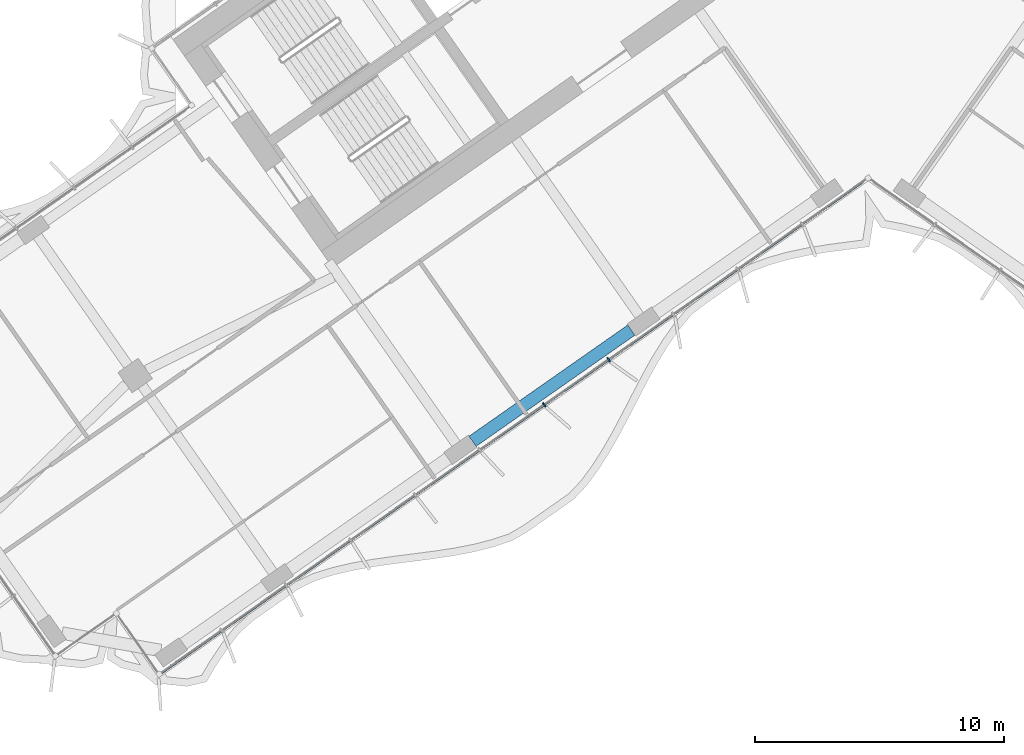
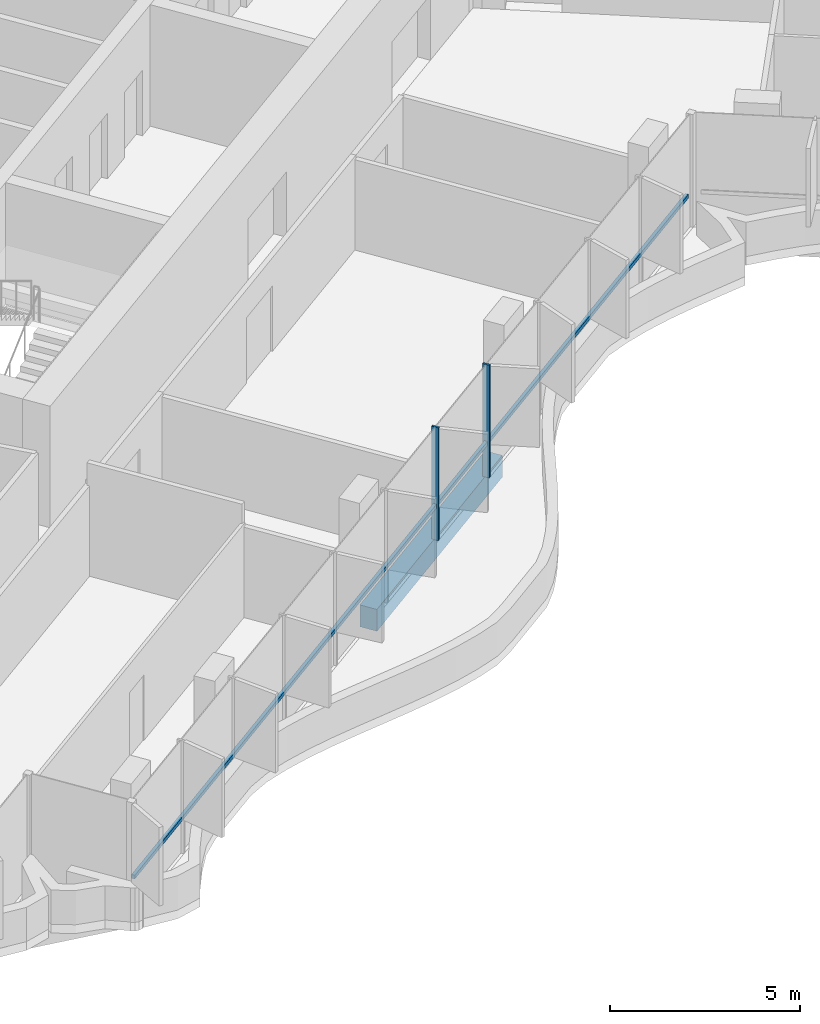
# One storey, part 3 of 21: 3 members, 1 beam, 1 element without a shape of its own.
"""IFC4 building model written with IfcOpenShell, lengths in metres."""

from ifc_helpers import new_model, si_unit, direction, frame, origin, origin_2d, place, context, subcontext, project, spatial, rectangle, extrude, material, material_profile, profile_set, type_object, element, aggregate, save


model = new_model("IFC4")

# Units and contexts
model_context = context("Model", 3, precision=1e-05, world=origin(), true_north=direction((0.0, 1.0)))
body_context = subcontext(model_context, "Body", "Model", "MODEL_VIEW")
ifc_project = project(units=[si_unit("LENGTHUNIT", "METRE"), si_unit("AREAUNIT", "SQUARE_METRE"), si_unit("VOLUMEUNIT", "CUBIC_METRE"), si_unit("PLANEANGLEUNIT", "RADIAN"), si_unit("MASSUNIT", "GRAM", prefix="KILO")], contexts=[model_context])

# Site, building, storey
site_placement = place(None, origin())
site = spatial("IfcSite", under=ifc_project, at=site_placement, CompositionType="ELEMENT")
building_placement = place(site_placement, origin())
building = spatial("IfcBuilding", under=site, at=building_placement, Name="Tel Ilan Convention Tower", CompositionType="ELEMENT")
storey_placement = place(building_placement, frame((0.0, 0.0, 151.5)))
storey = spatial("IfcBuildingStorey", under=building, at=storey_placement, Name="L34", CompositionType="ELEMENT", Elevation=151.5)

# Beam
ifc_material_1 = material(Name="Concrete C40/50", Category="concrete")
ifc_material_profile_1 = material_profile(ifc_material_1, rectangle(XDim=0.5, YDim=0.699951171875, at=origin_2d()), Name="RC 500x700")
ifc_profile_set_1 = profile_set([ifc_material_profile_1], Name="Concrete C40/50")
beam_type = type_object("IfcBeamType", Name="Beam RC 500x700 Concrete C40/50", PredefinedType="BEAM", material=ifc_profile_set_1)
beam_placement = place(storey_placement, frame((-9.529052734375, -18.819091796875, -0.6298828125), z_axis=(-0.819153977895, -0.573573674866, 0.0), x_axis=(0.573573674866, -0.819153977895, 0.0)))
element("IfcBeam", 1, at=beam_placement, inside=storey, type_object=beam_type, Name="L34 beam W-W-F2-W-F3", PredefinedType="BEAM", context=body_context, shape_type="SweptSolid", body=[
    extrude(rectangle(XDim=0.5, YDim=0.699951171875, at=origin_2d()), origin(), (0.0, 0.0, 1.0), 7.800048828125),
])

# Curtain wall, members
ifc_material_2 = material(Name="Aluminium, bronze anodised", Category="aluminium")
curtain_wall_type = type_object("IfcCurtainWallType", Name="CW4 STICK CURTAIN WALL, OFFICE TINTED GLASS", PredefinedType="NOTDEFINED", material=ifc_material_2)
curtain_wall_placement = place(storey_placement, origin())
curtain_wall = element("IfcCurtainWall", 2, at=curtain_wall_placement, inside=storey, type_object=curtain_wall_type, Name="Curtain wall CW4-27.02", PredefinedType="NOTDEFINED")
ifc_material_3 = material(Name="Aluminium, bronze anodised", Category="aluminium")
ifc_material_profile_2 = material_profile(ifc_material_3, rectangle(XDim=0.06005859375, YDim=0.199951171875, at=origin_2d()), Name="CW MULLION 60x200")
ifc_profile_set_2 = profile_set([ifc_material_profile_2], Name="Aluminium, bronze anodised")
member_type_1 = type_object("IfcMemberType", Name="CW MULLION 60x200", PredefinedType="MULLION", material=ifc_profile_set_2)
member_1_placement = place(storey_placement, frame((-13.03271484375, -21.821533203125, 0.0), z_axis=(0.0, 0.0, 1.0), x_axis=(0.819152044289, 0.573576436351, 0.0)))
member_1 = element("IfcMember", 3, at=member_1_placement, type_object=member_type_1, Name="Mullion", PredefinedType="MULLION", context=body_context, shape_type="SweptSolid", body=[
    extrude(rectangle(XDim=0.06005859375, YDim=0.199951171875, at=origin_2d()), origin(), (0.0, 0.0, 1.0), 3.6201171875),
])
member_2_placement = place(storey_placement, frame((-10.4375, -20.004638671875, 0.0), z_axis=(0.0, 0.0, 1.0), x_axis=(0.819152044289, 0.573576436351, 0.0)))
member_2 = element("IfcMember", 4, at=member_2_placement, type_object=member_type_1, Name="Mullion", PredefinedType="MULLION", context=body_context, shape_type="SweptSolid", body=[
    extrude(rectangle(XDim=0.06005859375, YDim=0.199951171875, at=origin_2d()), origin(), (0.0, 0.0, 1.0), 3.6201171875),
])
ifc_material_4 = material(Name="Aluminium, bronze anodised", Category="aluminium")
ifc_material_profile_3 = material_profile(ifc_material_4, rectangle(XDim=0.10009765625, YDim=0.1201171875, at=origin_2d()), Name="CW TRANSOM 100x120")
ifc_profile_set_3 = profile_set([ifc_material_profile_3], Name="Aluminium, bronze anodised")
member_type_2 = type_object("IfcMemberType", Name="CW TRANSOM 100x120", PredefinedType="USERDEFINED", material=ifc_profile_set_3)
member_3_placement = place(storey_placement, frame((-28.439208984375, -32.609375, 1.10009765625), z_axis=(0.819151003602, 0.573577922604, 0.0), x_axis=(-0.573577922604, 0.819151003602, 0.0)))
member_3 = element("IfcMember", 5, at=member_3_placement, type_object=member_type_2, Name="Transom", ObjectType="TRANSOM", PredefinedType="USERDEFINED", context=body_context, shape_type="SweptSolid", body=[
    extrude(rectangle(XDim=0.10009765625, YDim=0.1201171875, at=origin_2d()), origin(), (0.0, 0.0, 1.0), 34.447998046875),
])
aggregate(curtain_wall, [member_1, member_2, member_3])

save(model, "model.ifc")
